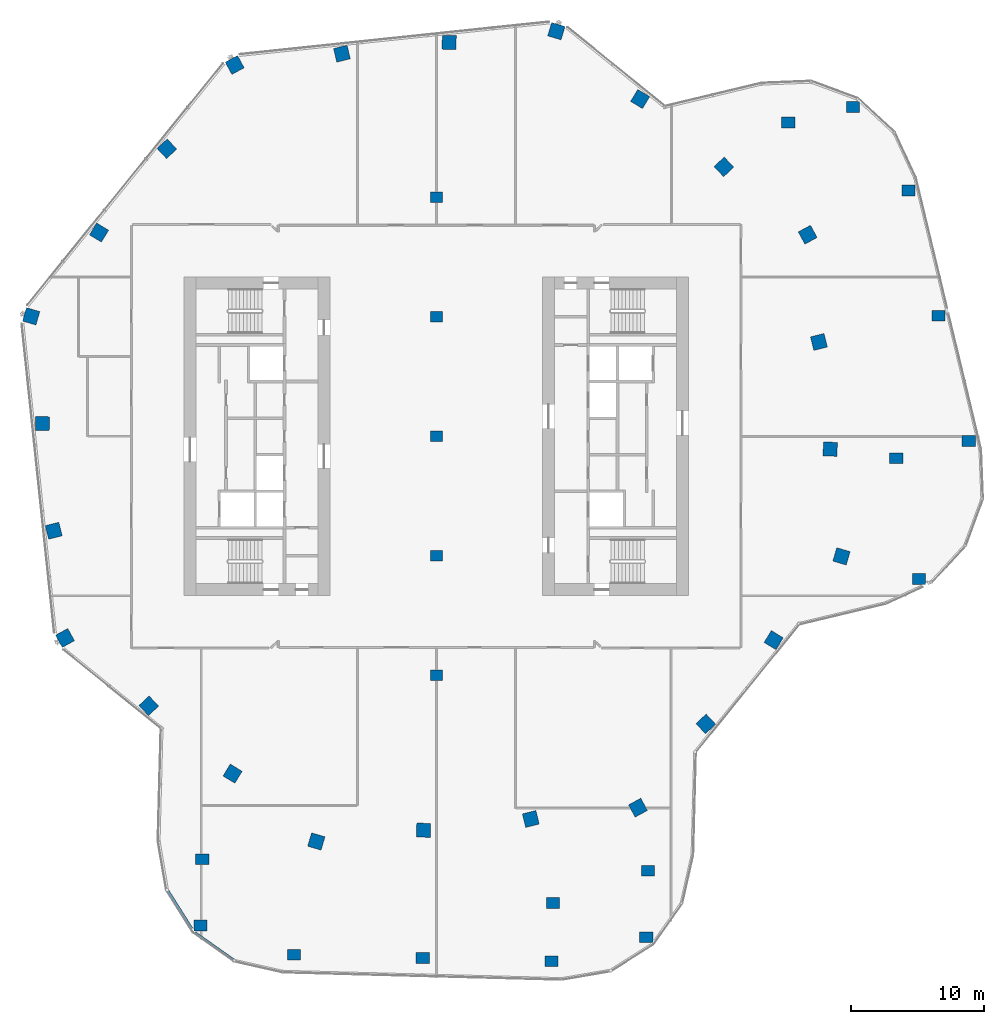
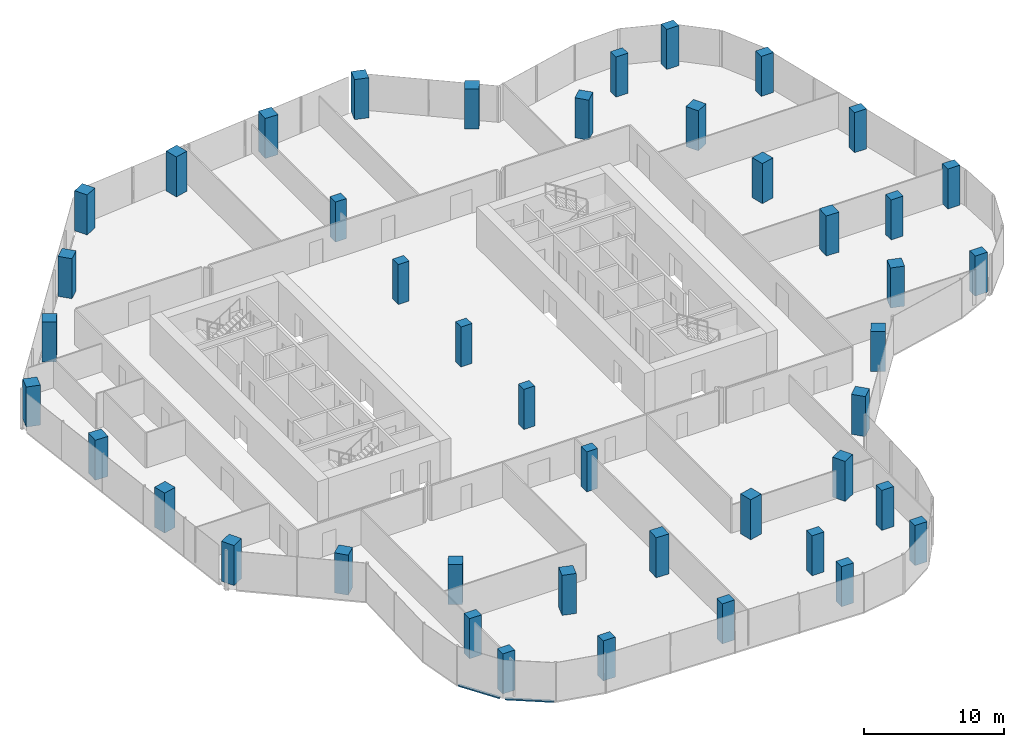
# One storey, part 1 of 23: 44 columns, 2 members, 2 elements without a shape of their own.
"""IFC4 building model written with IfcOpenShell, lengths in metres."""

from ifc_helpers import new_model, si_unit, direction, frame, origin, origin_2d, place, context, subcontext, project, spatial, rectangle, extrude, material, material_profile, profile_set, type_object, element, aggregate, save


model = new_model("IFC4")

# Units and contexts
model_context = context("Model", 3, precision=1e-05, world=origin(), true_north=direction((0.0, 1.0)))
body_context = subcontext(model_context, "Body", "Model", "MODEL_VIEW")
ifc_project = project(units=[si_unit("LENGTHUNIT", "METRE"), si_unit("AREAUNIT", "SQUARE_METRE"), si_unit("VOLUMEUNIT", "CUBIC_METRE"), si_unit("PLANEANGLEUNIT", "RADIAN"), si_unit("MASSUNIT", "GRAM", prefix="KILO")], contexts=[model_context])

# Site, building, storey
site_placement = place(None, origin())
site = spatial("IfcSite", under=ifc_project, at=site_placement, CompositionType="ELEMENT")
building_placement = place(site_placement, origin())
building = spatial("IfcBuilding", under=site, at=building_placement, Name="Orlundy Tower", CompositionType="ELEMENT")
storey_placement = place(building_placement, frame((0.0, 0.0, 221.0)))
storey = spatial("IfcBuildingStorey", under=building, at=storey_placement, Name="L58", CompositionType="ELEMENT", Elevation=221.0)

# Columns
ifc_material_1 = material(Name="Concrete C60/75", Category="concrete")
ifc_material_profile_1 = material_profile(ifc_material_1, rectangle(XDim=1.0, YDim=0.800048828125, at=origin_2d()), Name="RC1000X800")
ifc_profile_set_1 = profile_set([ifc_material_profile_1], Name="Concrete C60/75")
column_type_1 = type_object("IfcColumnType", Name="RC COLUMN RC1000X800 C60/75", PredefinedType="COLUMN", material=ifc_profile_set_1)
for number, where, z_axis, x_axis, name in (
    (1, (36.35498046875, -10.743896484375, 0.0), (0.0, 0.0, 1.0), (1.0, 0.0, 0.0), "Column C-A1-1 L58"),
    (2, (40.090087890625, -0.35107421875, 0.0), (0.0, 0.0, 1.0), (1.0, 0.0, 0.0), "Column C-A2-5 L58"),
    (3, (34.64404296875, -1.657958984375, 0.0), (0.0, 0.0, 1.0), (1.0, 0.0, 0.0), "Column C-A2-6 L58"),
    (4, (37.824951171875, 9.0810546875, 0.0), (0.0, 0.0, 1.0), (1.0, 0.0, 0.0), "Column C-A3-5 L58"),
    (5, (35.56103515625, 18.512939453125, 0.0), (0.0, 0.0, 1.0), (1.0, 0.0, 0.0), "Column C-A4-5 L58"),
    (6, (31.3701171875, 24.802001953125, 0.0), (0.0, 0.0, 1.0), (1.0, 0.0, 0.0), "Column C-A5-5 L58"),
    (7, (26.508056640625, 23.635009765625, 0.0), (0.0, 0.0, 1.0), (1.0, 0.0, 0.0), "Column C-A5-6 L58"),
    (8, (-17.763916015625, -36.841064453125, 0.0), (0.0, 0.0, 1.0), (1.0, 0.0, 0.0), "Column C-B1-6 L58"),
    (9, (-17.633056640625, -31.843017578125, 0.0), (0.0, 0.0, 1.0), (1.0, 0.0, 0.0), "Column C-B1-7 L58"),
    (10, (-10.72509765625, -39.032958984375, 0.0), (0.0, 0.0, 1.0), (1.0, 0.0, 0.0), "Column C-B2-6 L58"),
    (11, (-1.029052734375, -39.287109375, 0.0), (0.0, 0.0, 1.0), (1.0, 0.0, 0.0), "Column C-B3-6 L58"),
    (12, (8.66796875, -39.5400390625, 0.0), (0.0, 0.0, 1.0), (1.0, 0.0, 0.0), "Column C-B4-6 L58"),
    (13, (8.782958984375, -35.14208984375, 0.0), (0.0, 0.0, 1.0), (1.0, 0.0, 0.0), "Column C-B4-7 L58"),
    (14, (15.81103515625, -37.719970703125, 0.0), (0.0, 0.0, 1.0), (1.0, 0.0, 0.0), "Column C-B5-6 L58"),
    (15, (15.94189453125, -32.721923828125, 0.0), (0.0, 0.0, 1.0), (1.0, 0.0, 0.0), "Column C-B5-7 L58"),
):
    element("IfcColumn", number, at=place(storey_placement, frame(where, z_axis=z_axis, x_axis=x_axis)), inside=storey, type_object=column_type_1, Name=name, PredefinedType="COLUMN", context=body_context, shape_type="SweptSolid", body=[
        extrude(rectangle(XDim=1.0, YDim=0.800048828125, at=origin_2d()), origin(), (0.0, 0.0, 1.0), 3.5),
    ])
ifc_material_2 = material(Name="Concrete C60/75", Category="concrete")
ifc_material_profile_2 = material_profile(ifc_material_2, rectangle(XDim=1.050048828125, YDim=1.050048828125, at=origin_2d()), Name="RC1050X1050")
ifc_profile_set_2 = profile_set([ifc_material_profile_2], Name="Concrete C60/75")
column_type_2 = type_object("IfcColumnType", Name="RC COLUMN RC1050X1050 C60/75", PredefinedType="COLUMN", material=ifc_profile_set_2)
for number, where, z_axis, x_axis, name in (
    (16, (9.0380859375, 30.511962890625, 0.0), (0.0, 0.0, 1.0), (0.284015344704, 0.958819734868, 0.0), "Column C-H01 L58"),
    (17, (15.346923828125, 25.403076171875, 0.0), (0.0, 0.0, 1.0), (0.517101113058, 0.855924318427, 0.0), "Column C-H02 L58"),
    (18, (21.656982421875, 20.29296875, 0.0), (0.0, 0.0, 1.0), (0.729708951739, 0.683757885331, 0.0), "Column C-H03 L58"),
    (19, (27.966064453125, 15.18408203125, 0.0), (0.0, 0.0, 1.0), (0.878817112662, 0.47715876026, 0.0), "Column C-H04 L58"),
    (20, (28.81494140625, 7.110107421875, 0.0), (0.0, 0.0, 1.0), (0.970879774729, 0.239567241127, 0.0), "Column C-H05 L58"),
    (21, (29.6630859375, -0.964111328125, 0.0), (0.0, 0.0, 1.0), (0.99947255242, -0.032474866578, 0.0), "Column C-H06 L58"),
    (22, (30.511962890625, -9.0380859375, 0.0), (0.0, 0.0, 1.0), (0.958819734868, -0.284015344704, 0.0), "Column C-H07 L58"),
    (23, (25.403076171875, -15.346923828125, 0.0), (0.0, 0.0, 1.0), (0.855924318427, -0.517101113058, 0.0), "Column C-H08 L58"),
    (24, (20.29296875, -21.656982421875, 0.0), (0.0, 0.0, 1.0), (0.683757885331, -0.729708951739, 0.0), "Column C-H09 L58"),
    (25, (15.18408203125, -27.966064453125, 0.0), (0.0, 0.0, 1.0), (0.47715876026, -0.878817112662, 0.0), "Column C-H10 L58"),
    (26, (7.110107421875, -28.81494140625, 0.0), (0.0, 0.0, 1.0), (0.239567241127, -0.970879774729, 0.0), "Column C-H11 L58"),
    (27, (-0.964111328125, -29.6630859375, 0.0), (0.0, 0.0, 1.0), (-0.032474866578, -0.99947255242, 0.0), "Column C-H12 L58"),
    (28, (-9.0380859375, -30.511962890625, 0.0), (0.0, 0.0, 1.0), (-0.284015344704, -0.958819734868, 0.0), "Column C-H13 L58"),
    (29, (-15.346923828125, -25.403076171875, 0.0), (0.0, 0.0, 1.0), (-0.517101113058, -0.855924318427, 0.0), "Column C-H14 L58"),
    (30, (-21.656982421875, -20.29296875, 0.0), (0.0, 0.0, 1.0), (-0.729708951739, -0.683757885331, 0.0), "Column C-H15 L58"),
    (31, (-27.966064453125, -15.18408203125, 0.0), (0.0, 0.0, 1.0), (-0.878817112662, -0.47715876026, 0.0), "Column C-H16 L58"),
    (32, (-28.81494140625, -7.110107421875, 0.0), (0.0, 0.0, 1.0), (-0.970879774729, -0.239567241127, 0.0), "Column C-H17 L58"),
    (33, (-29.6630859375, 0.964111328125, 0.0), (0.0, 0.0, 1.0), (-0.99947255242, 0.032474866578, 0.0), "Column C-H18 L58"),
    (34, (-30.511962890625, 9.0380859375, 0.0), (0.0, 0.0, 1.0), (-0.958819734868, 0.284015344704, 0.0), "Column C-H19 L58"),
    (35, (-25.403076171875, 15.346923828125, 0.0), (0.0, 0.0, 1.0), (-0.855924318427, 0.517101113058, 0.0), "Column C-H20 L58"),
    (36, (-20.29296875, 21.656982421875, 0.0), (0.0, 0.0, 1.0), (-0.683757885331, 0.729708951739, 0.0), "Column C-H21 L58"),
    (37, (-15.18408203125, 27.966064453125, 0.0), (0.0, 0.0, 1.0), (-0.47715876026, 0.878817112662, 0.0), "Column C-H22 L58"),
    (38, (-7.110107421875, 28.81494140625, 0.0), (0.0, 0.0, 1.0), (-0.239567241127, 0.970879774729, 0.0), "Column C-H23 L58"),
    (39, (0.964111328125, 29.6630859375, 0.0), (0.0, 0.0, 1.0), (0.032474866578, 0.99947255242, 0.0), "Column C-H24 L58"),
):
    element("IfcColumn", number, at=place(storey_placement, frame(where, z_axis=z_axis, x_axis=x_axis)), inside=storey, type_object=column_type_2, Name=name, PredefinedType="COLUMN", context=body_context, shape_type="SweptSolid", body=[
        extrude(rectangle(XDim=1.050048828125, YDim=1.050048828125, at=origin_2d()), origin(), (0.0, 0.0, 1.0), 3.5),
    ])
ifc_material_3 = material(Name="Concrete C60/75", Category="concrete")
ifc_material_profile_3 = material_profile(ifc_material_3, rectangle(XDim=0.89990234375, YDim=0.800048828125, at=origin_2d()), Name="RC900X800")
ifc_profile_set_3 = profile_set([ifc_material_profile_3], Name="Concrete C60/75")
column_type_3 = type_object("IfcColumnType", Name="RC COLUMN RC900X800 C60/75", PredefinedType="COLUMN", material=ifc_profile_set_3)
for number, where, z_axis, x_axis, name in (
    (40, (0.0, -18.0, 0.0), (0.0, 0.0, 1.0), (1.0, 0.0, 0.0), "Column C-M1 L58"),
    (41, (0.0, -9.0, 0.0), (0.0, 0.0, 1.0), (1.0, 0.0, 0.0), "Column C-M2 L58"),
    (42, (0.0, 0.0, 0.0), (0.0, 0.0, 1.0), (1.0, 0.0, 0.0), "Column C-M3 L58"),
    (43, (0.0, 9.0, 0.0), (0.0, 0.0, 1.0), (1.0, 0.0, 0.0), "Column C-M4 L58"),
    (44, (0.0, 18.0, 0.0), (0.0, 0.0, 1.0), (1.0, 0.0, 0.0), "Column C-M5 L58"),
):
    element("IfcColumn", number, at=place(storey_placement, frame(where, z_axis=z_axis, x_axis=x_axis)), inside=storey, type_object=column_type_3, Name=name, PredefinedType="COLUMN", context=body_context, shape_type="SweptSolid", body=[
        extrude(rectangle(XDim=0.89990234375, YDim=0.800048828125, at=origin_2d()), origin(), (0.0, 0.0, 1.0), 3.5),
    ])

# Curtain wall, member
ifc_material_4 = material(Name="Aluminium bronze anodised", Category="aluminium")
curtain_wall_type = type_object("IfcCurtainWallType", Name="CW1 wall", PredefinedType="NOTDEFINED", material=ifc_material_4)
curtain_wall_1_placement = place(storey_placement, origin())
curtain_wall_1 = element("IfcCurtainWall", 45, at=curtain_wall_1_placement, inside=storey, type_object=curtain_wall_type, Name="CW1 run 025", PredefinedType="NOTDEFINED")
ifc_material_5 = material(Name="Aluminium bronze anodised", Category="aluminium")
ifc_material_profile_4 = material_profile(ifc_material_5, rectangle(XDim=0.179931640625, YDim=0.1201171875, at=origin_2d()), Name="CW1 transom 180x120")
ifc_profile_set_4 = profile_set([ifc_material_profile_4], Name="Aluminium bronze anodised")
member_type = type_object("IfcMemberType", Name="CW1 transom 180x120", PredefinedType="USERDEFINED", material=ifc_profile_set_4)
member_1_placement = place(storey_placement, frame((-15.28271484375, -39.4248046875, -0.360107421875), z_axis=(-0.816718215174, 0.577036703342, 0.0), x_axis=(-0.577036703342, -0.816718215174, 0.0)))
member_1 = element("IfcMember", 46, at=member_1_placement, type_object=member_type, Name="CW1 transom", ObjectType="TRANSOM", PredefinedType="USERDEFINED", context=body_context, shape_type="SweptSolid", body=[
    extrude(rectangle(XDim=0.179931640625, YDim=0.1201171875, at=origin_2d()), origin(), (0.0, 0.0, 1.0), 3.5244140625),
])
aggregate(curtain_wall_1, [member_1])

curtain_wall_2_placement = place(storey_placement, origin())
curtain_wall_2 = element("IfcCurtainWall", 47, at=curtain_wall_2_placement, inside=storey, type_object=curtain_wall_type, Name="CW1 run 026", PredefinedType="NOTDEFINED")
member_2_placement = place(storey_placement, frame((-18.4140625, -37.081787109375, -0.360107421875), z_axis=(-0.533624631108, 0.845721439409, 0.0), x_axis=(-0.845721439409, -0.533624631108, 0.0)))
member_2 = element("IfcMember", 48, at=member_2_placement, type_object=member_type, Name="CW1 transom", ObjectType="TRANSOM", PredefinedType="USERDEFINED", context=body_context, shape_type="SweptSolid", body=[
    extrude(rectangle(XDim=0.179931640625, YDim=0.1201171875, at=origin_2d()), origin(), (0.0, 0.0, 1.0), 3.366943359375),
])
aggregate(curtain_wall_2, [member_2])

save(model, "model.ifc")
